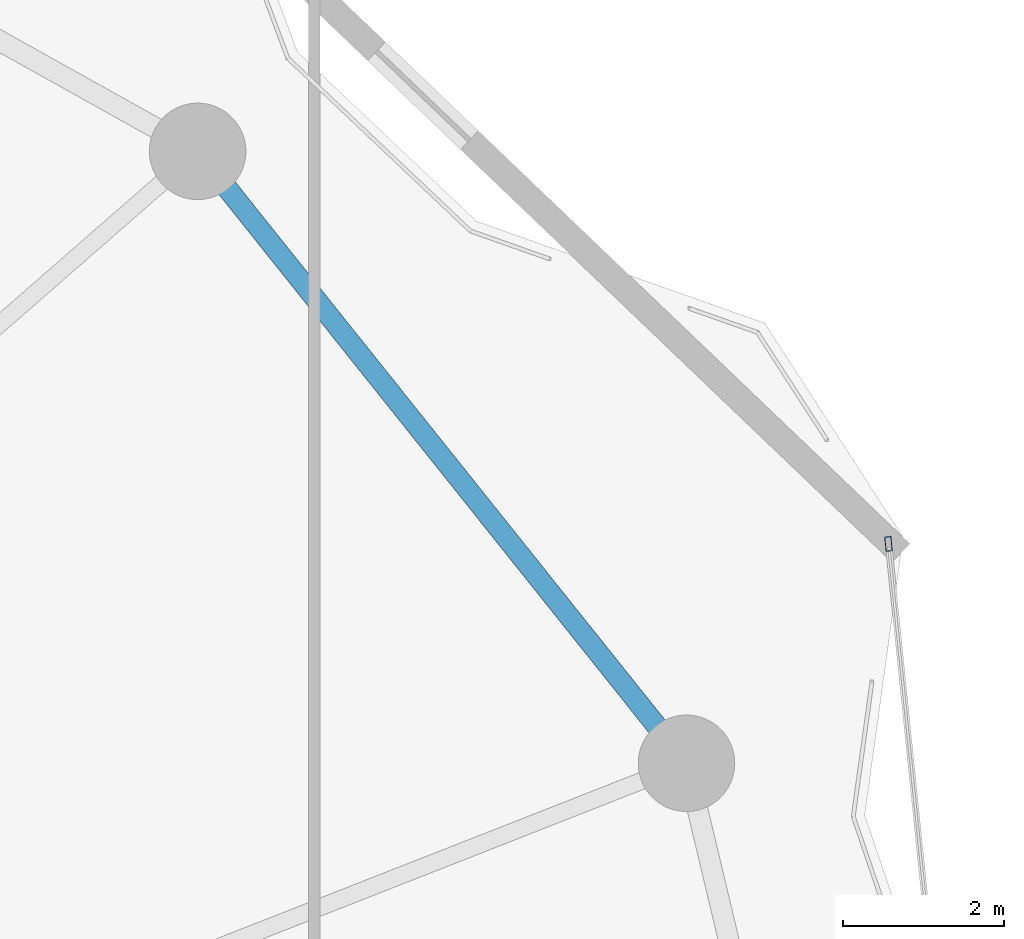
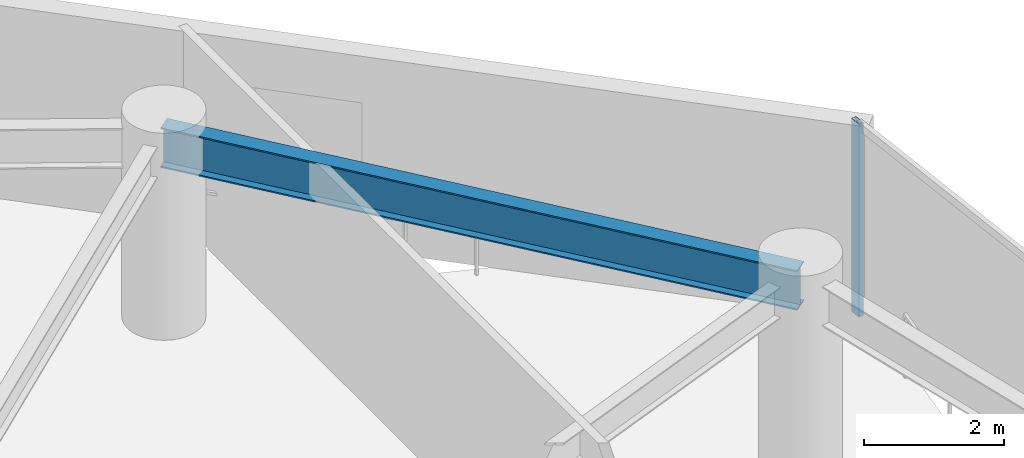
# One storey, part 23 of 31: 1 beam, 1 member, 1 element without a shape of its own.
"""IFC4 building model written with IfcOpenShell, lengths in metres."""

from ifc_helpers import new_model, si_unit, direction, frame, origin, origin_2d, place, context, subcontext, project, spatial, hollow_rectangle, i_section, extrude, material, layer, layer_set, material_profile, profile_set, type_object, element, aggregate, save


model = new_model("IFC4")

# Units and contexts
model_context = context("Model", 3, precision=1e-05, world=origin(), true_north=direction((0.0, 1.0)))
body_context = subcontext(model_context, "Body", "Model", "MODEL_VIEW")
ifc_project = project(units=[si_unit("LENGTHUNIT", "METRE"), si_unit("AREAUNIT", "SQUARE_METRE"), si_unit("VOLUMEUNIT", "CUBIC_METRE"), si_unit("PLANEANGLEUNIT", "RADIAN"), si_unit("MASSUNIT", "GRAM", prefix="KILO")], contexts=[model_context])

# Site, building, storey
site_placement = place(None, origin())
site = spatial("IfcSite", under=ifc_project, at=site_placement, CompositionType="ELEMENT")
building_placement = place(site_placement, origin())
building = spatial("IfcBuilding", under=site, at=building_placement, Name="Kazevale Care Tower and Concert Hall", CompositionType="ELEMENT")
storey_placement = place(building_placement, frame((0.0, 0.0, 124.199951171875)))
storey = spatial("IfcBuildingStorey", under=building, at=storey_placement, Name="L32", CompositionType="ELEMENT", Elevation=124.199951171875)

# Curtain wall, member
ifc_material_1 = material(Name="Aluminium 6063-T6 and Low-E Glass", Category="aluminium")
ifc_layer = layer(ifc_material_1, 0.179931640625)
ifc_layer_set = layer_set([ifc_layer], Name="Aluminium 6063-T6 and Low-E Glass")
curtain_wall_type = type_object("IfcCurtainWallType", Name="Waist & Upper Residential Curtain Wall CW-4", PredefinedType="NOTDEFINED", material=ifc_layer_set)
curtain_wall_placement = place(storey_placement, origin())
curtain_wall = element("IfcCurtainWall", 1, at=curtain_wall_placement, inside=storey, type_object=curtain_wall_type, Name="cw:L32:f18", PredefinedType="NOTDEFINED")
ifc_material_2 = material(Name="Aluminium 6063-T6", Category="aluminium")
ifc_material_profile_1 = material_profile(ifc_material_2, hollow_rectangle(XDim=0.080078125, YDim=0.179931640625, WallThickness=0.0048828125, at=origin_2d()), Name="ALU80x180x5")
ifc_profile_set_1 = profile_set([ifc_material_profile_1], Name="Aluminium 6063-T6")
member_type = type_object("IfcMemberType", Name="CW-4 Mullion ALU80x180x5", PredefinedType="MULLION", material=ifc_profile_set_1)
member_placement = place(storey_placement, frame((73.422119140625, 49.6982421875, 0.0), z_axis=(0.0, 0.0, 1.0), x_axis=(0.994797747326, 0.101869730126, 0.0)))
member = element("IfcMember", 2, at=member_placement, type_object=member_type, Name="CW-4 mullion 1", PredefinedType="MULLION", context=body_context, shape_type="SweptSolid", body=[
    extrude(hollow_rectangle(XDim=0.080078125, YDim=0.179931640625, WallThickness=0.0048828125, at=origin_2d()), origin(), (0.0, 0.0, 1.0), 3.360107421875),
])
aggregate(curtain_wall, [member])

# Beam
ifc_material_3 = material(Name="Steel ASTM A572 Gr 50", Category="steel")
ifc_material_profile_2 = material_profile(ifc_material_3, i_section(OverallWidth=0.256103515625, OverallDepth=0.693115234375, WebThickness=0.014404296875, FlangeThickness=0.023681640625, at=origin_2d()), Name="W690x170")
ifc_profile_set_2 = profile_set([ifc_material_profile_2], Name="Steel ASTM A572 Gr 50")
beam_type = type_object("IfcBeamType", Name="Waist Ring Beam W690x170", PredefinedType="BEAM", material=ifc_profile_set_2)
beam_placement = place(storey_placement, frame((70.909912109375, 46.969970703125, 3.013427734375), z_axis=(-0.624178340034, 0.781281895242, 0.0), x_axis=(-0.781281895242, -0.624178340034, 0.0)))
element("IfcBeam", 3, at=beam_placement, inside=storey, type_object=beam_type, Name="beam:L32:ring:02", PredefinedType="BEAM", context=body_context, shape_type="SweptSolid", body=[
    extrude(i_section(OverallWidth=0.256103515625, OverallDepth=0.693115234375, WebThickness=0.014404296875, FlangeThickness=0.023681640625, at=origin_2d()), origin(), (0.0, 0.0, 1.0), 9.740478515625),
])

save(model, "model.ifc")
